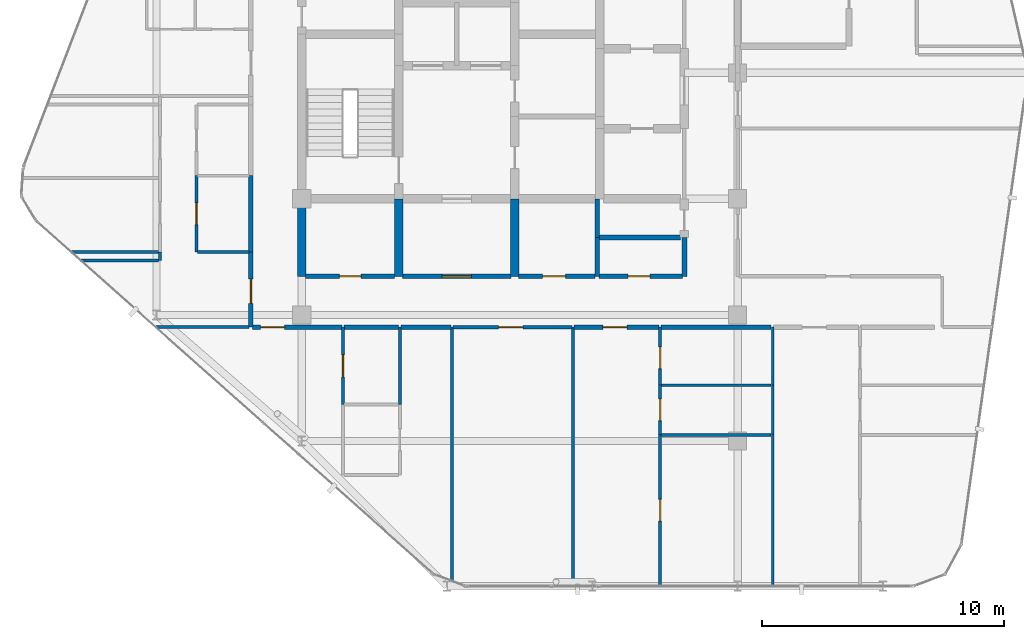
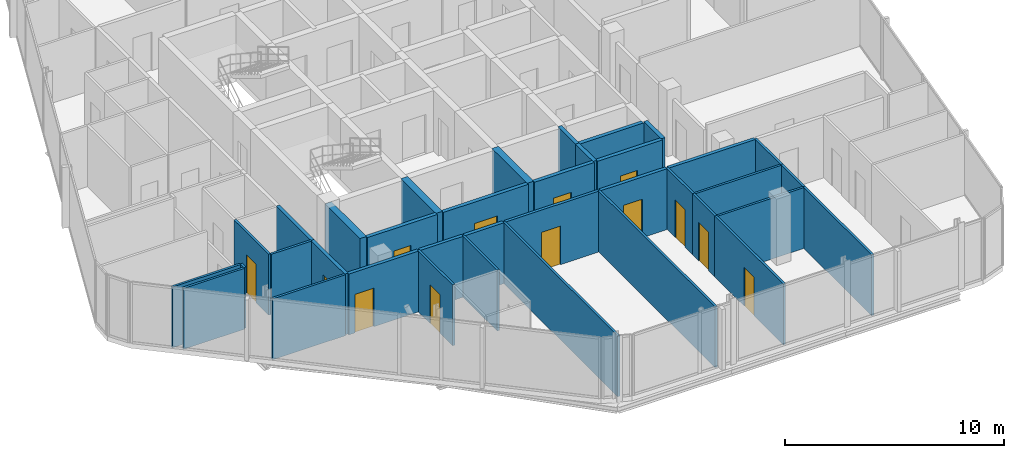
# One storey, part 22 of 28: 37 walls, 13 doors, 13 openings.
"""IFC4 building model written with IfcOpenShell, lengths in metres."""

from ifc_helpers import new_model, si_unit, direction, frame, frame_2d, origin, place, context, subcontext, project, spatial, rectangle, extrude, material, layer, layer_set, type_object, element, fill, save


model = new_model("IFC4")

# Units and contexts
model_context = context("Model", 3, precision=1e-05, world=origin(), true_north=direction((0.0, 1.0)))
body_context = subcontext(model_context, "Body", "Model", "MODEL_VIEW")
ifc_project = project(units=[si_unit("LENGTHUNIT", "METRE"), si_unit("AREAUNIT", "SQUARE_METRE"), si_unit("VOLUMEUNIT", "CUBIC_METRE"), si_unit("PLANEANGLEUNIT", "RADIAN"), si_unit("MASSUNIT", "GRAM", prefix="KILO")], contexts=[model_context])

# Site, building, storey
site_placement = place(None, origin())
site = spatial("IfcSite", under=ifc_project, at=site_placement, CompositionType="ELEMENT")
building_placement = place(site_placement, origin())
building = spatial("IfcBuilding", under=site, at=building_placement, Name="Keshet Zoharim Tower", CompositionType="ELEMENT")
storey_placement = place(building_placement, frame((0.0, 0.0, 265.800048828125)))
storey = spatial("IfcBuildingStorey", under=building, at=storey_placement, Name="L66", CompositionType="ELEMENT", Elevation=265.800048828125)

# Wall, opening, door
ifc_material_1 = material(Name="Gypsum Plasterboard", Category="gypsum")
ifc_layer_1 = layer(ifc_material_1, 0.14990234375)
ifc_layer_set_1 = layer_set([ifc_layer_1], Name="Gypsum Plasterboard")
wall_type_1 = type_object("IfcWallType", Name="WL-CLIN-150", PredefinedType="STANDARD", material=ifc_layer_set_1)
wall_1_placement = place(storey_placement, frame((21.2451171875, 17.39990234375, 0.0), z_axis=(0.0, 0.0, 1.0), x_axis=(1.0, 0.0, 0.0)))
wall_1 = element("IfcWall", 1, at=wall_1_placement, inside=storey, type_object=wall_type_1, Name="L66 Interior Wall 107", PredefinedType="STANDARD", context=body_context, shape_type="SweptSolid", body=[
    extrude(rectangle(XDim=4.909912109375, YDim=0.14990234375, at=frame_2d((2.455078125, 0.0))), origin(), (0.0, 0.0, 1.0), 3.389892578125),
])
opening_1_placement = place(wall_1_placement, frame((1.884033203125, 0.0, 0.0)))
opening_1 = element("IfcOpeningElement", 2, at=opening_1_placement, cuts=wall_1, Name="Opening D-F310", PredefinedType="OPENING", context=body_context, shape_type="SweptSolid", body=[
    extrude(rectangle(XDim=1.0, YDim=2.14990234375, at=frame_2d((0.5, 1.074951171875))), frame((0.0, 0.0849609375, 0.0), z_axis=(0.0, -1.0, 0.0), x_axis=(1.0, 0.0, 0.0)), (0.0, 0.0, 1.0), 0.169921875),
])
ifc_material_2 = material(Name="Hardwood Timber", Category="wood")
door_type_1 = type_object("IfcDoorType", Name="DR-FD30-100", OperationType="NOTDEFINED", PredefinedType="DOOR", material=ifc_material_2)
door_1_placement = place(opening_1_placement, origin())
door_1 = element("IfcDoor", 3, at=door_1_placement, inside=storey, type_object=door_type_1, Name="L66 Residents Co-Working Office Door", OperationType="SINGLE_SWING_LEFT", OverallHeight=2.14990234375, OverallWidth=1.0, PredefinedType="DOOR", context=body_context, shape_type="SweptSolid", body=[
    extrude(rectangle(XDim=1.0, YDim=2.14990234375, at=frame_2d((0.5, 1.074951171875))), frame((0.0, 0.02490234375, 0.0), z_axis=(0.0, -1.0, 0.0), x_axis=(1.0, 0.0, 0.0)), (0.0, 0.0, 1.0), 0.050048828125),
])
fill(opening_1, door_1)

# Walls
ifc_material_3 = material(Name="Concrete C60/75", Category="concrete")
ifc_layer_2 = layer(ifc_material_3, 0.35009765625)
ifc_layer_set_2 = layer_set([ifc_layer_2], Name="Concrete C60/75")
wall_type_2 = type_object("IfcWallType", Name="WL-CORE-350", PredefinedType="SHEAR", material=ifc_layer_set_2)
for number, where, z_axis, x_axis, name in (
    (4, (15.0, 19.5, 0.0), (0.0, 0.0, 1.0), (0.0, 1.0, 0.0), "L66 Core Shear Wall 021"),
    (5, (19.0, 19.5, 0.0), (0.0, 0.0, 1.0), (0.0, 1.0, 0.0), "L66 Core Shear Wall 028"),
    (6, (23.800048828125, 19.5, 0.0), (0.0, 0.0, 1.0), (0.0, 1.0, 0.0), "L66 Core Shear Wall 041"),
):
    element("IfcWall", number, at=place(storey_placement, frame(where, z_axis=z_axis, x_axis=x_axis)), inside=storey, type_object=wall_type_2, Name=name, PredefinedType="SHEAR", context=body_context, shape_type="SweptSolid", body=[
        extrude(rectangle(XDim=3.199951171875, YDim=0.35009765625, at=frame_2d((1.60009765625, 0.0))), origin(), (0.0, 0.0, 1.0), 3.389892578125),
    ])

# Wall, opening, door
ifc_layer_3 = layer(ifc_material_1, 0.179931640625)
ifc_layer_set_3 = layer_set([ifc_layer_3], Name="Gypsum Plasterboard")
wall_type_3 = type_object("IfcWallType", Name="WL-CORR-180", PredefinedType="STANDARD", material=ifc_layer_set_3)
wall_2_placement = place(storey_placement, frame((12.89990234375, 17.39990234375, 0.0), z_axis=(0.0, 0.0, 1.0), x_axis=(0.0, 1.0, 0.0)))
wall_2 = element("IfcWall", 7, at=wall_2_placement, inside=storey, type_object=wall_type_3, Name="L66 Interior Wall 012", PredefinedType="STANDARD", context=body_context, shape_type="SweptSolid", body=[
    extrude(rectangle(XDim=3.10009765625, YDim=0.179931640625, at=frame_2d((1.550048828125, 0.0))), origin(), (0.0, 0.0, 1.0), 3.389892578125),
])
opening_2_placement = place(wall_2_placement, frame((0.97802734375, 0.0, 0.0)))
opening_2 = element("IfcOpeningElement", 8, at=opening_2_placement, cuts=wall_2, Name="Opening D-F310", PredefinedType="OPENING", context=body_context, shape_type="SweptSolid", body=[
    extrude(rectangle(XDim=1.0, YDim=2.14990234375, at=frame_2d((0.5, 1.074951171875))), frame((0.0, 0.10009765625, 0.0), z_axis=(0.0, -1.0, 0.0), x_axis=(1.0, 0.0, 0.0)), (0.0, 0.0, 1.0), 0.199951171875),
])
door_2_placement = place(opening_2_placement, origin())
door_2 = element("IfcDoor", 9, at=door_2_placement, inside=storey, type_object=door_type_1, Name="Apartment 6607 Entrance Door", OperationType="SINGLE_SWING_LEFT", OverallHeight=2.14990234375, OverallWidth=1.0, PredefinedType="DOOR", context=body_context, shape_type="SweptSolid", body=[
    extrude(rectangle(XDim=1.0, YDim=2.14990234375, at=frame_2d((0.5, 1.074951171875))), frame((0.0, 0.02490234375, 0.0), z_axis=(0.0, -1.0, 0.0), x_axis=(1.0, 0.0, 0.0)), (0.0, 0.0, 1.0), 0.050048828125),
])
fill(opening_2, door_2)

# Wall
wall_3_placement = place(storey_placement, frame((12.89990234375, 20.5, 0.0), z_axis=(0.0, 0.0, 1.0), x_axis=(0.0, 1.0, 0.0)))
element("IfcWall", 10, at=wall_3_placement, inside=storey, type_object=wall_type_3, Name="L66 Interior Wall 013", PredefinedType="STANDARD", context=body_context, shape_type="SweptSolid", body=[
    extrude(rectangle(XDim=3.162109375, YDim=0.179931640625, at=frame_2d((1.5810546875, 0.0))), origin(), (0.0, 0.0, 1.0), 3.389892578125),
])

# Wall, opening, door
wall_4_placement = place(storey_placement, frame((12.97509765625, 17.39990234375, 0.0), z_axis=(0.0, 0.0, 1.0), x_axis=(1.0, 0.0, 0.0)))
wall_4 = element("IfcWall", 11, at=wall_4_placement, inside=storey, type_object=wall_type_3, Name="L66 Interior Wall 104", PredefinedType="STANDARD", context=body_context, shape_type="SweptSolid", body=[
    extrude(rectangle(XDim=3.679931640625, YDim=0.179931640625, at=frame_2d((1.83984375, 0.0))), origin(), (0.0, 0.0, 1.0), 3.389892578125),
])
opening_3_placement = place(wall_4_placement, frame((0.322021484375, 0.0, 0.0)))
opening_3 = element("IfcOpeningElement", 12, at=opening_3_placement, cuts=wall_4, Name="Opening D-F310", PredefinedType="OPENING", context=body_context, shape_type="SweptSolid", body=[
    extrude(rectangle(XDim=1.0, YDim=2.14990234375, at=frame_2d((0.5, 1.074951171875))), frame((0.0, 0.10009765625, 0.0), z_axis=(0.0, -1.0, 0.0), x_axis=(1.0, 0.0, 0.0)), (0.0, 0.0, 1.0), 0.199951171875),
])
door_3_placement = place(opening_3_placement, origin())
door_3 = element("IfcDoor", 13, at=door_3_placement, inside=storey, type_object=door_type_1, Name="Apartment 6601 Entrance Door", OperationType="SINGLE_SWING_RIGHT", OverallHeight=2.14990234375, OverallWidth=1.0, PredefinedType="DOOR", context=body_context, shape_type="SweptSolid", body=[
    extrude(rectangle(XDim=1.0, YDim=2.14990234375, at=frame_2d((0.5, 1.074951171875))), frame((0.0, 0.02490234375, 0.0), z_axis=(0.0, -1.0, 0.0), x_axis=(1.0, 0.0, 0.0)), (0.0, 0.0, 1.0), 0.050048828125),
])
fill(opening_3, door_3)

# Walls
wall_5_placement = place(storey_placement, frame((16.7451171875, 17.39990234375, 0.0), z_axis=(0.0, 0.0, 1.0), x_axis=(1.0, 0.0, 0.0)))
element("IfcWall", 14, at=wall_5_placement, inside=storey, type_object=wall_type_3, Name="L66 Interior Wall 105", PredefinedType="STANDARD", context=body_context, shape_type="SweptSolid", body=[
    extrude(rectangle(XDim=2.259765625, YDim=0.179931640625, at=frame_2d((1.1298828125, 0.0))), origin(), (0.0, 0.0, 1.0), 3.389892578125),
])
wall_6_placement = place(storey_placement, frame((19.094970703125, 17.39990234375, 0.0), z_axis=(0.0, 0.0, 1.0), x_axis=(1.0, 0.0, 0.0)))
element("IfcWall", 15, at=wall_6_placement, inside=storey, type_object=wall_type_3, Name="L66 Interior Wall 106", PredefinedType="STANDARD", context=body_context, shape_type="SweptSolid", body=[
    extrude(rectangle(XDim=2.06005859375, YDim=0.179931640625, at=frame_2d((1.030029296875, 0.0))), origin(), (0.0, 0.0, 1.0), 3.389892578125),
])

# Wall, opening, door
wall_7_placement = place(storey_placement, frame((26.2451171875, 17.39990234375, 0.0), z_axis=(0.0, 0.0, 1.0), x_axis=(1.0, 0.0, 0.0)))
wall_7 = element("IfcWall", 16, at=wall_7_placement, inside=storey, type_object=wall_type_3, Name="L66 Interior Wall 108", PredefinedType="STANDARD", context=body_context, shape_type="SweptSolid", body=[
    extrude(rectangle(XDim=3.509765625, YDim=0.179931640625, at=frame_2d((1.7548828125, 0.0))), origin(), (0.0, 0.0, 1.0), 3.389892578125),
])
opening_4_placement = place(wall_7_placement, frame((1.18505859375, 0.0, 0.0)))
opening_4 = element("IfcOpeningElement", 17, at=opening_4_placement, cuts=wall_7, Name="Opening D-F310", PredefinedType="OPENING", context=body_context, shape_type="SweptSolid", body=[
    extrude(rectangle(XDim=1.0, YDim=2.14990234375, at=frame_2d((0.5, 1.074951171875))), frame((0.0, 0.10009765625, 0.0), z_axis=(0.0, -1.0, 0.0), x_axis=(1.0, 0.0, 0.0)), (0.0, 0.0, 1.0), 0.199951171875),
])
door_4_placement = place(opening_4_placement, origin())
door_4 = element("IfcDoor", 18, at=door_4_placement, inside=storey, type_object=door_type_1, Name="Apartment 6602 Entrance Door", OperationType="SINGLE_SWING_RIGHT", OverallHeight=2.14990234375, OverallWidth=1.0, PredefinedType="DOOR", context=body_context, shape_type="SweptSolid", body=[
    extrude(rectangle(XDim=1.0, YDim=2.14990234375, at=frame_2d((0.5, 1.074951171875))), frame((0.0, 0.02490234375, 0.0), z_axis=(0.0, -1.0, 0.0), x_axis=(1.0, 0.0, 0.0)), (0.0, 0.0, 1.0), 0.050048828125),
])
fill(opening_4, door_4)

# Walls
wall_8_placement = place(storey_placement, frame((29.844970703125, 17.39990234375, 0.0), z_axis=(0.0, 0.0, 1.0), x_axis=(1.0, 0.0, 0.0)))
element("IfcWall", 19, at=wall_8_placement, inside=storey, type_object=wall_type_3, Name="L66 Interior Wall 109", PredefinedType="STANDARD", context=body_context, shape_type="SweptSolid", body=[
    extrude(rectangle(XDim=4.5400390625, YDim=0.179931640625, at=frame_2d((2.27001953125, 0.0))), origin(), (0.0, 0.0, 1.0), 3.389892578125),
])
ifc_material_4 = material(Name="Concrete C50/60", Category="concrete")
ifc_layer_4 = layer(ifc_material_4, 0.199951171875)
ifc_layer_set_4 = layer_set([ifc_layer_4], Name="Concrete C50/60")
wall_type_4 = type_object("IfcWallType", Name="WL-FIRE-200", PredefinedType="STANDARD", material=ifc_layer_set_4)
wall_9_placement = place(storey_placement, frame((27.199951171875, 19.5, 0.0), z_axis=(0.0, 0.0, 1.0), x_axis=(0.0, 1.0, 0.0)))
element("IfcWall", 20, at=wall_9_placement, inside=storey, type_object=wall_type_4, Name="L66 Interior Wall 052", PredefinedType="STANDARD", context=body_context, shape_type="SweptSolid", body=[
    extrude(rectangle(XDim=1.60009765625, YDim=0.199951171875, at=frame_2d((0.800048828125, 0.0))), origin(), (0.0, 0.0, 1.0), 3.389892578125),
])
wall_10_placement = place(storey_placement, frame((27.199951171875, 21.10009765625, 0.0), z_axis=(0.0, 0.0, 1.0), x_axis=(0.0, 1.0, 0.0)))
element("IfcWall", 21, at=wall_10_placement, inside=storey, type_object=wall_type_4, Name="L66 Interior Wall 053", PredefinedType="STANDARD", context=body_context, shape_type="SweptSolid", body=[
    extrude(rectangle(XDim=1.599853515625, YDim=0.199951171875, at=frame_2d((0.7998046875, 0.0))), origin(), (0.0, 0.0, 1.0), 3.389892578125),
])
wall_11_placement = place(storey_placement, frame((30.800048828125, 19.5, 0.0), z_axis=(0.0, 0.0, 1.0), x_axis=(0.0, 1.0, 0.0)))
element("IfcWall", 22, at=wall_11_placement, inside=storey, type_object=wall_type_4, Name="L66 Interior Wall 065", PredefinedType="STANDARD", context=body_context, shape_type="SweptSolid", body=[
    extrude(rectangle(XDim=1.60009765625, YDim=0.199951171875, at=frame_2d((0.800048828125, 0.0))), origin(), (0.0, 0.0, 1.0), 3.389892578125),
])

# Wall, opening, door
wall_12_placement = place(storey_placement, frame((15.159912109375, 19.5, 0.0), z_axis=(0.0, 0.0, 1.0), x_axis=(1.0, 0.0, 0.0)))
wall_12 = element("IfcWall", 23, at=wall_12_placement, inside=storey, type_object=wall_type_4, Name="L66 Interior Wall 113", PredefinedType="STANDARD", context=body_context, shape_type="SweptSolid", body=[
    extrude(rectangle(XDim=3.68017578125, YDim=0.199951171875, at=frame_2d((1.840087890625, 0.0))), origin(), (0.0, 0.0, 1.0), 3.389892578125),
])
opening_5_placement = place(wall_12_placement, frame((1.389892578125, 0.0, 0.0)))
opening_5 = element("IfcOpeningElement", 24, at=opening_5_placement, cuts=wall_12, Name="Opening D-F690", PredefinedType="OPENING", context=body_context, shape_type="SweptSolid", body=[
    extrude(rectangle(XDim=0.89990234375, YDim=2.14990234375, at=frame_2d((0.449951171875, 1.074951171875))), frame((0.0, 0.10986328125, 0.0), z_axis=(0.0, -1.0, 0.0), x_axis=(1.0, 0.0, 0.0)), (0.0, 0.0, 1.0), 0.219970703125),
])
door_type_2 = type_object("IfcDoorType", Name="DR-FD60-090", OperationType="NOTDEFINED", PredefinedType="DOOR", material=ifc_material_2)
door_5_placement = place(opening_5_placement, origin())
door_5 = element("IfcDoor", 25, at=door_5_placement, inside=storey, type_object=door_type_2, Name="L66 Refuse Store Door", OperationType="SINGLE_SWING_RIGHT", OverallHeight=2.14990234375, OverallWidth=0.89990234375, PredefinedType="DOOR", context=body_context, shape_type="SweptSolid", body=[
    extrude(rectangle(XDim=0.89990234375, YDim=2.14990234375, at=frame_2d((0.449951171875, 1.074951171875))), frame((0.0, 0.02490234375, 0.0), z_axis=(0.0, -1.0, 0.0), x_axis=(1.0, 0.0, 0.0)), (0.0, 0.0, 1.0), 0.050048828125),
])
fill(opening_5, door_5)

wall_13_placement = place(storey_placement, frame((19.159912109375, 19.5, 0.0), z_axis=(0.0, 0.0, 1.0), x_axis=(1.0, 0.0, 0.0)))
wall_13 = element("IfcWall", 26, at=wall_13_placement, inside=storey, type_object=wall_type_4, Name="L66 Interior Wall 114", PredefinedType="STANDARD", context=body_context, shape_type="SweptSolid", body=[
    extrude(rectangle(XDim=4.47998046875, YDim=0.199951171875, at=frame_2d((2.239990234375, 0.0))), origin(), (0.0, 0.0, 1.0), 3.389892578125),
])
opening_6_placement = place(wall_13_placement, frame((1.639892578125, 0.0, 0.0)))
opening_6 = element("IfcOpeningElement", 27, at=opening_6_placement, cuts=wall_13, Name="Opening D-F612", PredefinedType="OPENING", context=body_context, shape_type="SweptSolid", body=[
    extrude(rectangle(XDim=1.199951171875, YDim=2.199951171875, at=frame_2d((0.60009765625, 1.10009765625))), frame((0.0, 0.10986328125, 0.0), z_axis=(0.0, -1.0, 0.0), x_axis=(1.0, 0.0, 0.0)), (0.0, 0.0, 1.0), 0.219970703125),
])
door_type_3 = type_object("IfcDoorType", Name="DR-FD60-120", OperationType="NOTDEFINED", PredefinedType="DOOR", material=ifc_material_2)
door_6_placement = place(opening_6_placement, origin())
door_6 = element("IfcDoor", 28, at=door_6_placement, inside=storey, type_object=door_type_3, Name="L66 South Vestibule Corridor Door", OperationType="SINGLE_SWING_LEFT", OverallHeight=2.199951171875, OverallWidth=1.199951171875, PredefinedType="DOOR", context=body_context, shape_type="SweptSolid", body=[
    extrude(rectangle(XDim=1.199951171875, YDim=2.199951171875, at=frame_2d((0.60009765625, 1.10009765625))), frame((0.0, 0.02490234375, 0.0), z_axis=(0.0, -1.0, 0.0), x_axis=(1.0, 0.0, 0.0)), (0.0, 0.0, 1.0), 0.050048828125),
])
fill(opening_6, door_6)

wall_14_placement = place(storey_placement, frame((23.9599609375, 19.5, 0.0), z_axis=(0.0, 0.0, 1.0), x_axis=(1.0, 0.0, 0.0)))
wall_14 = element("IfcWall", 29, at=wall_14_placement, inside=storey, type_object=wall_type_4, Name="L66 Interior Wall 115", PredefinedType="STANDARD", context=body_context, shape_type="SweptSolid", body=[
    extrude(rectangle(XDim=3.155029296875, YDim=0.199951171875, at=frame_2d((1.57763671875, 0.0))), origin(), (0.0, 0.0, 1.0), 3.389892578125),
])
opening_7_placement = place(wall_14_placement, frame((0.990966796875, 0.0, 0.0)))
opening_7 = element("IfcOpeningElement", 30, at=opening_7_placement, cuts=wall_14, Name="Opening D-F695", PredefinedType="OPENING", context=body_context, shape_type="SweptSolid", body=[
    extrude(rectangle(XDim=0.949951171875, YDim=2.14990234375, at=frame_2d((0.47509765625, 1.074951171875))), frame((0.0, 0.10986328125, 0.0), z_axis=(0.0, -1.0, 0.0), x_axis=(1.0, 0.0, 0.0)), (0.0, 0.0, 1.0), 0.219970703125),
])
door_type_4 = type_object("IfcDoorType", Name="DR-FD60-095", OperationType="NOTDEFINED", PredefinedType="DOOR", material=ifc_material_2)
door_7_placement = place(opening_7_placement, origin())
door_7 = element("IfcDoor", 31, at=door_7_placement, inside=storey, type_object=door_type_4, Name="L66 Utility Room Door", OperationType="SINGLE_SWING_RIGHT", OverallHeight=2.14990234375, OverallWidth=0.949951171875, PredefinedType="DOOR", context=body_context, shape_type="SweptSolid", body=[
    extrude(rectangle(XDim=0.949951171875, YDim=2.14990234375, at=frame_2d((0.47509765625, 1.074951171875))), frame((0.0, 0.02490234375, 0.0), z_axis=(0.0, -1.0, 0.0), x_axis=(1.0, 0.0, 0.0)), (0.0, 0.0, 1.0), 0.050048828125),
])
fill(opening_7, door_7)

wall_15_placement = place(storey_placement, frame((27.284912109375, 19.5, 0.0), z_axis=(0.0, 0.0, 1.0), x_axis=(1.0, 0.0, 0.0)))
wall_15 = element("IfcWall", 32, at=wall_15_placement, inside=storey, type_object=wall_type_4, Name="L66 Interior Wall 116", PredefinedType="STANDARD", context=body_context, shape_type="SweptSolid", body=[
    extrude(rectangle(XDim=3.43017578125, YDim=0.199951171875, at=frame_2d((1.715087890625, 0.0))), origin(), (0.0, 0.0, 1.0), 3.389892578125),
])
opening_8_placement = place(wall_15_placement, frame((1.19189453125, 0.0, 0.0)))
opening_8 = element("IfcOpeningElement", 33, at=opening_8_placement, cuts=wall_15, Name="Opening D-F690", PredefinedType="OPENING", context=body_context, shape_type="SweptSolid", body=[
    extrude(rectangle(XDim=0.89990234375, YDim=2.14990234375, at=frame_2d((0.449951171875, 1.074951171875))), frame((0.0, 0.10986328125, 0.0), z_axis=(0.0, -1.0, 0.0), x_axis=(1.0, 0.0, 0.0)), (0.0, 0.0, 1.0), 0.219970703125),
])
door_8_placement = place(opening_8_placement, origin())
door_8 = element("IfcDoor", 34, at=door_8_placement, inside=storey, type_object=door_type_2, Name="L66 Valve Room Door", OperationType="SINGLE_SWING_LEFT", OverallHeight=2.14990234375, OverallWidth=0.89990234375, PredefinedType="DOOR", context=body_context, shape_type="SweptSolid", body=[
    extrude(rectangle(XDim=0.89990234375, YDim=2.14990234375, at=frame_2d((0.449951171875, 1.074951171875))), frame((0.0, 0.02490234375, 0.0), z_axis=(0.0, -1.0, 0.0), x_axis=(1.0, 0.0, 0.0)), (0.0, 0.0, 1.0), 0.050048828125),
])
fill(opening_8, door_8)

# Walls
wall_16_placement = place(storey_placement, frame((27.284912109375, 21.10009765625, 0.0), z_axis=(0.0, 0.0, 1.0), x_axis=(1.0, 0.0, 0.0)))
element("IfcWall", 35, at=wall_16_placement, inside=storey, type_object=wall_type_4, Name="L66 Interior Wall 121", PredefinedType="STANDARD", context=body_context, shape_type="SweptSolid", body=[
    extrude(rectangle(XDim=3.35498046875, YDim=0.199951171875, at=frame_2d((1.677490234375, 0.0))), origin(), (0.0, 0.0, 1.0), 3.389892578125),
])
ifc_layer_5 = layer(ifc_material_1, 0.1201171875)
ifc_layer_set_5 = layer_set([ifc_layer_5], Name="Gypsum Plasterboard")
wall_type_5 = type_object("IfcWallType", Name="WL-PART-120", PredefinedType="PARTITIONING", material=ifc_layer_set_5)
wall_17_placement = place(storey_placement, frame((9.14990234375, 20.14990234375, 0.0), z_axis=(0.0, 0.0, 1.0), x_axis=(0.0, 1.0, 0.0)))
element("IfcWall", 36, at=wall_17_placement, inside=storey, type_object=wall_type_5, Name="L66 Interior Wall 002", PredefinedType="PARTITIONING", context=body_context, shape_type="SweptSolid", body=[
    extrude(rectangle(XDim=0.35009765625, YDim=0.1201171875, at=frame_2d((0.175048828125, 0.0))), origin(), (0.0, 0.0, 1.0), 3.389892578125),
])

# Wall, opening, door
wall_18_placement = place(storey_placement, frame((10.64990234375, 20.5, 0.0), z_axis=(0.0, 0.0, 1.0), x_axis=(0.0, 1.0, 0.0)))
wall_18 = element("IfcWall", 37, at=wall_18_placement, inside=storey, type_object=wall_type_5, Name="L66 Interior Wall 008", PredefinedType="PARTITIONING", context=body_context, shape_type="SweptSolid", body=[
    extrude(rectangle(XDim=3.162109375, YDim=0.1201171875, at=frame_2d((1.5810546875, 0.0))), origin(), (0.0, 0.0, 1.0), 3.389892578125),
])
opening_9_placement = place(wall_18_placement, frame((1.131103515625, 0.0, 0.0)))
opening_9 = element("IfcOpeningElement", 38, at=opening_9_placement, cuts=wall_18, Name="Opening D-IN90", PredefinedType="OPENING", context=body_context, shape_type="SweptSolid", body=[
    extrude(rectangle(XDim=0.89990234375, YDim=2.14990234375, at=frame_2d((0.449951171875, 1.074951171875))), frame((0.0, 0.070068359375, 0.0), z_axis=(0.0, -1.0, 0.0), x_axis=(1.0, 0.0, 0.0)), (0.0, 0.0, 1.0), 0.14013671875),
])
door_type_5 = type_object("IfcDoorType", Name="DR-INT-090", OperationType="NOTDEFINED", PredefinedType="DOOR", material=ifc_material_2)
door_9_placement = place(opening_9_placement, origin())
door_9 = element("IfcDoor", 39, at=door_9_placement, inside=storey, type_object=door_type_5, Name="Apartment 6607 Kitchen Door", OperationType="SINGLE_SWING_LEFT", OverallHeight=2.14990234375, OverallWidth=0.89990234375, PredefinedType="DOOR", context=body_context, shape_type="SweptSolid", body=[
    extrude(rectangle(XDim=0.89990234375, YDim=2.14990234375, at=frame_2d((0.449951171875, 1.074951171875))), frame((0.0, 0.02490234375, 0.0), z_axis=(0.0, -1.0, 0.0), x_axis=(1.0, 0.0, 0.0)), (0.0, 0.0, 1.0), 0.050048828125),
])
fill(opening_9, door_9)

wall_19_placement = place(storey_placement, frame((16.699951171875, 14.199951171875, 0.0), z_axis=(0.0, 0.0, 1.0), x_axis=(0.0, 1.0, 0.0)))
wall_19 = element("IfcWall", 40, at=wall_19_placement, inside=storey, type_object=wall_type_5, Name="L66 Interior Wall 026", PredefinedType="PARTITIONING", context=body_context, shape_type="SweptSolid", body=[
    extrude(rectangle(XDim=3.199951171875, YDim=0.1201171875, at=frame_2d((1.60009765625, 0.0))), origin(), (0.0, 0.0, 1.0), 3.389892578125),
])
opening_10_placement = place(wall_19_placement, frame((1.14990234375, 0.0, 0.0)))
opening_10 = element("IfcOpeningElement", 41, at=opening_10_placement, cuts=wall_19, Name="Opening D-IN90", PredefinedType="OPENING", context=body_context, shape_type="SweptSolid", body=[
    extrude(rectangle(XDim=0.89990234375, YDim=2.14990234375, at=frame_2d((0.449951171875, 1.074951171875))), frame((0.0, 0.070068359375, 0.0), z_axis=(0.0, -1.0, 0.0), x_axis=(1.0, 0.0, 0.0)), (0.0, 0.0, 1.0), 0.14013671875),
])
door_10_placement = place(opening_10_placement, origin())
door_10 = element("IfcDoor", 42, at=door_10_placement, inside=storey, type_object=door_type_5, Name="Apartment 6601 Kitchenette Door", OperationType="SINGLE_SWING_LEFT", OverallHeight=2.14990234375, OverallWidth=0.89990234375, PredefinedType="DOOR", context=body_context, shape_type="SweptSolid", body=[
    extrude(rectangle(XDim=0.89990234375, YDim=2.14990234375, at=frame_2d((0.449951171875, 1.074951171875))), frame((0.0, 0.02490234375, 0.0), z_axis=(0.0, -1.0, 0.0), x_axis=(1.0, 0.0, 0.0)), (0.0, 0.0, 1.0), 0.050048828125),
])
fill(opening_10, door_10)

# Walls
wall_20_placement = place(storey_placement, frame((19.050048828125, 14.199951171875, 0.0), z_axis=(0.0, 0.0, 1.0), x_axis=(0.0, 1.0, 0.0)))
element("IfcWall", 43, at=wall_20_placement, inside=storey, type_object=wall_type_5, Name="L66 Interior Wall 034", PredefinedType="PARTITIONING", context=body_context, shape_type="SweptSolid", body=[
    extrude(rectangle(XDim=3.199951171875, YDim=0.1201171875, at=frame_2d((1.60009765625, 0.0))), origin(), (0.0, 0.0, 1.0), 3.389892578125),
])
wall_21_placement = place(storey_placement, frame((21.199951171875, 6.923095703125, 0.0), z_axis=(0.0, 0.0, 1.0), x_axis=(0.0, 1.0, 0.0)))
element("IfcWall", 44, at=wall_21_placement, inside=storey, type_object=wall_type_5, Name="L66 Interior Wall 035", PredefinedType="PARTITIONING", context=body_context, shape_type="SweptSolid", body=[
    extrude(rectangle(XDim=10.476806640625, YDim=0.1201171875, at=frame_2d((5.23828125, 0.0))), origin(), (0.0, 0.0, 1.0), 3.389892578125),
])
wall_22_placement = place(storey_placement, frame((26.199951171875, 6.7099609375, 0.0), z_axis=(0.0, 0.0, 1.0), x_axis=(0.0, 1.0, 0.0)))
element("IfcWall", 45, at=wall_22_placement, inside=storey, type_object=wall_type_5, Name="L66 Interior Wall 050", PredefinedType="PARTITIONING", context=body_context, shape_type="SweptSolid", body=[
    extrude(rectangle(XDim=10.68994140625, YDim=0.1201171875, at=frame_2d((5.344970703125, 0.0))), origin(), (0.0, 0.0, 1.0), 3.389892578125),
])

# Wall, opening, door
wall_23_placement = place(storey_placement, frame((29.800048828125, 6.7099609375, 0.0), z_axis=(0.0, 0.0, 1.0), x_axis=(0.0, 1.0, 0.0)))
wall_23 = element("IfcWall", 46, at=wall_23_placement, inside=storey, type_object=wall_type_5, Name="L66 Interior Wall 061", PredefinedType="PARTITIONING", context=body_context, shape_type="SweptSolid", body=[
    extrude(rectangle(XDim=6.260009765625, YDim=0.1201171875, at=frame_2d((3.1298828125, 0.0))), origin(), (0.0, 0.0, 1.0), 3.389892578125),
])
opening_11_placement = place(wall_23_placement, frame((2.679931640625, 0.0, 0.0)))
opening_11 = element("IfcOpeningElement", 47, at=opening_11_placement, cuts=wall_23, Name="Opening D-IN90", PredefinedType="OPENING", context=body_context, shape_type="SweptSolid", body=[
    extrude(rectangle(XDim=0.89990234375, YDim=2.14990234375, at=frame_2d((0.449951171875, 1.074951171875))), frame((0.0, 0.070068359375, 0.0), z_axis=(0.0, -1.0, 0.0), x_axis=(1.0, 0.0, 0.0)), (0.0, 0.0, 1.0), 0.14013671875),
])
door_11_placement = place(opening_11_placement, origin())
door_11 = element("IfcDoor", 48, at=door_11_placement, inside=storey, type_object=door_type_5, Name="Apartment 6602 Bedroom 1 Door", OperationType="SINGLE_SWING_RIGHT", OverallHeight=2.14990234375, OverallWidth=0.89990234375, PredefinedType="DOOR", context=body_context, shape_type="SweptSolid", body=[
    extrude(rectangle(XDim=0.89990234375, YDim=2.14990234375, at=frame_2d((0.449951171875, 1.074951171875))), frame((0.0, 0.02490234375, 0.0), z_axis=(0.0, -1.0, 0.0), x_axis=(1.0, 0.0, 0.0)), (0.0, 0.0, 1.0), 0.050048828125),
])
fill(opening_11, door_11)

wall_24_placement = place(storey_placement, frame((29.800048828125, 12.969970703125, 0.0), z_axis=(0.0, 0.0, 1.0), x_axis=(0.0, 1.0, 0.0)))
wall_24 = element("IfcWall", 49, at=wall_24_placement, inside=storey, type_object=wall_type_5, Name="L66 Interior Wall 062", PredefinedType="PARTITIONING", context=body_context, shape_type="SweptSolid", body=[
    extrude(rectangle(XDim=2.0380859375, YDim=0.1201171875, at=frame_2d((1.01904296875, 0.0))), origin(), (0.0, 0.0, 1.0), 3.389892578125),
])
opening_12_placement = place(wall_24_placement, frame((0.569091796875, 0.0, 0.0)))
opening_12 = element("IfcOpeningElement", 50, at=opening_12_placement, cuts=wall_24, Name="Opening D-IN90", PredefinedType="OPENING", context=body_context, shape_type="SweptSolid", body=[
    extrude(rectangle(XDim=0.89990234375, YDim=2.14990234375, at=frame_2d((0.449951171875, 1.074951171875))), frame((0.0, 0.070068359375, 0.0), z_axis=(0.0, -1.0, 0.0), x_axis=(1.0, 0.0, 0.0)), (0.0, 0.0, 1.0), 0.14013671875),
])
door_12_placement = place(opening_12_placement, origin())
door_12 = element("IfcDoor", 51, at=door_12_placement, inside=storey, type_object=door_type_5, Name="Apartment 6602 Kitchen Door", OperationType="SINGLE_SWING_LEFT", OverallHeight=2.14990234375, OverallWidth=0.89990234375, PredefinedType="DOOR", context=body_context, shape_type="SweptSolid", body=[
    extrude(rectangle(XDim=0.89990234375, YDim=2.14990234375, at=frame_2d((0.449951171875, 1.074951171875))), frame((0.0, 0.02490234375, 0.0), z_axis=(0.0, -1.0, 0.0), x_axis=(1.0, 0.0, 0.0)), (0.0, 0.0, 1.0), 0.050048828125),
])
fill(opening_12, door_12)

# Walls
wall_25_placement = place(storey_placement, frame((34.449951171875, 6.7099609375, 0.0), z_axis=(0.0, 0.0, 1.0), x_axis=(0.0, 1.0, 0.0)))
element("IfcWall", 52, at=wall_25_placement, inside=storey, type_object=wall_type_5, Name="L66 Interior Wall 079", PredefinedType="PARTITIONING", context=body_context, shape_type="SweptSolid", body=[
    extrude(rectangle(XDim=6.260009765625, YDim=0.1201171875, at=frame_2d((3.1298828125, 0.0))), origin(), (0.0, 0.0, 1.0), 3.389892578125),
])
wall_26_placement = place(storey_placement, frame((34.449951171875, 12.969970703125, 0.0), z_axis=(0.0, 0.0, 1.0), x_axis=(0.0, 1.0, 0.0)))
element("IfcWall", 53, at=wall_26_placement, inside=storey, type_object=wall_type_5, Name="L66 Interior Wall 080", PredefinedType="PARTITIONING", context=body_context, shape_type="SweptSolid", body=[
    extrude(rectangle(XDim=2.0380859375, YDim=0.1201171875, at=frame_2d((1.01904296875, 0.0))), origin(), (0.0, 0.0, 1.0), 3.389892578125),
])
wall_27_placement = place(storey_placement, frame((29.844970703125, 12.949951171875, 0.0), z_axis=(0.0, 0.0, 1.0), x_axis=(1.0, 0.0, 0.0)))
element("IfcWall", 54, at=wall_27_placement, inside=storey, type_object=wall_type_5, Name="L66 Interior Wall 098", PredefinedType="PARTITIONING", context=body_context, shape_type="SweptSolid", body=[
    extrude(rectangle(XDim=4.5400390625, YDim=0.1201171875, at=frame_2d((2.27001953125, 0.0))), origin(), (0.0, 0.0, 1.0), 3.389892578125),
])
wall_28_placement = place(storey_placement, frame((8.972900390625, 17.39990234375, 0.0), z_axis=(0.0, 0.0, 1.0), x_axis=(1.0, 0.0, 0.0)))
element("IfcWall", 55, at=wall_28_placement, inside=storey, type_object=wall_type_5, Name="L66 Interior Wall 103", PredefinedType="PARTITIONING", context=body_context, shape_type="SweptSolid", body=[
    extrude(rectangle(XDim=3.85205078125, YDim=0.1201171875, at=frame_2d((1.926025390625, 0.0))), origin(), (0.0, 0.0, 1.0), 3.389892578125),
])
wall_29_placement = place(storey_placement, frame((5.87890625, 20.14990234375, 0.0), z_axis=(0.0, 0.0, 1.0), x_axis=(1.0, 0.0, 0.0)))
element("IfcWall", 56, at=wall_29_placement, inside=storey, type_object=wall_type_5, Name="L66 Interior Wall 118", PredefinedType="PARTITIONING", context=body_context, shape_type="SweptSolid", body=[
    extrude(rectangle(XDim=3.2060546875, YDim=0.1201171875, at=frame_2d((1.60302734375, 0.0))), origin(), (0.0, 0.0, 1.0), 3.389892578125),
])
wall_30_placement = place(storey_placement, frame((5.485107421875, 20.5, 0.0), z_axis=(0.0, 0.0, 1.0), x_axis=(1.0, 0.0, 0.0)))
element("IfcWall", 57, at=wall_30_placement, inside=storey, type_object=wall_type_5, Name="L66 Interior Wall 119", PredefinedType="PARTITIONING", context=body_context, shape_type="SweptSolid", body=[
    extrude(rectangle(XDim=3.599853515625, YDim=0.1201171875, at=frame_2d((1.7998046875, 0.0))), origin(), (0.0, 0.0, 1.0), 3.389892578125),
])
wall_31_placement = place(storey_placement, frame((10.695068359375, 20.5, 0.0), z_axis=(0.0, 0.0, 1.0), x_axis=(1.0, 0.0, 0.0)))
element("IfcWall", 58, at=wall_31_placement, inside=storey, type_object=wall_type_5, Name="L66 Interior Wall 120", PredefinedType="PARTITIONING", context=body_context, shape_type="SweptSolid", body=[
    extrude(rectangle(XDim=2.1298828125, YDim=0.1201171875, at=frame_2d((1.06494140625, 0.0))), origin(), (0.0, 0.0, 1.0), 3.389892578125),
])

# Wall, opening, door
ifc_layer_6 = layer(ifc_material_1, 0.1201171875)
ifc_layer_set_6 = layer_set([ifc_layer_6], Name="Gypsum Plasterboard")
wall_type_6 = type_object("IfcWallType", Name="WL-WET-120", PredefinedType="PARTITIONING", material=ifc_layer_set_6)
wall_32_placement = place(storey_placement, frame((29.800048828125, 15.008056640625, 0.0), z_axis=(0.0, 0.0, 1.0), x_axis=(0.0, 1.0, 0.0)))
wall_32 = element("IfcWall", 59, at=wall_32_placement, inside=storey, type_object=wall_type_6, Name="L66 Interior Wall 063", PredefinedType="PARTITIONING", context=body_context, shape_type="SweptSolid", body=[
    extrude(rectangle(XDim=2.391845703125, YDim=0.1201171875, at=frame_2d((1.19580078125, 0.0))), origin(), (0.0, 0.0, 1.0), 3.389892578125),
])
opening_13_placement = place(wall_32_placement, frame((0.675048828125, 0.0, 0.0)))
opening_13 = element("IfcOpeningElement", 60, at=opening_13_placement, cuts=wall_32, Name="Opening D-WT90", PredefinedType="OPENING", context=body_context, shape_type="SweptSolid", body=[
    extrude(rectangle(XDim=0.89990234375, YDim=2.10009765625, at=frame_2d((0.449951171875, 1.050048828125))), frame((0.0, 0.070068359375, 0.0), z_axis=(0.0, -1.0, 0.0), x_axis=(1.0, 0.0, 0.0)), (0.0, 0.0, 1.0), 0.14013671875),
])
door_type_6 = type_object("IfcDoorType", Name="DR-WET-090", OperationType="NOTDEFINED", PredefinedType="DOOR", material=ifc_material_2)
door_13_placement = place(opening_13_placement, origin())
door_13 = element("IfcDoor", 61, at=door_13_placement, inside=storey, type_object=door_type_6, Name="Apartment 6602 Bathroom Door", OperationType="SINGLE_SWING_RIGHT", OverallHeight=2.10009765625, OverallWidth=0.89990234375, PredefinedType="DOOR", context=body_context, shape_type="SweptSolid", body=[
    extrude(rectangle(XDim=0.89990234375, YDim=2.10009765625, at=frame_2d((0.449951171875, 1.050048828125))), frame((0.0, 0.02490234375, 0.0), z_axis=(0.0, -1.0, 0.0), x_axis=(1.0, 0.0, 0.0)), (0.0, 0.0, 1.0), 0.050048828125),
])
fill(opening_13, door_13)

# Walls
wall_33_placement = place(storey_placement, frame((34.449951171875, 15.008056640625, 0.0), z_axis=(0.0, 0.0, 1.0), x_axis=(0.0, 1.0, 0.0)))
element("IfcWall", 62, at=wall_33_placement, inside=storey, type_object=wall_type_6, Name="L66 Interior Wall 081", PredefinedType="PARTITIONING", context=body_context, shape_type="SweptSolid", body=[
    extrude(rectangle(XDim=2.391845703125, YDim=0.1201171875, at=frame_2d((1.19580078125, 0.0))), origin(), (0.0, 0.0, 1.0), 3.389892578125),
])
wall_34_placement = place(storey_placement, frame((29.844970703125, 15.0, 0.0), z_axis=(0.0, 0.0, 1.0), x_axis=(1.0, 0.0, 0.0)))
element("IfcWall", 63, at=wall_34_placement, inside=storey, type_object=wall_type_6, Name="L66 Interior Wall 101", PredefinedType="PARTITIONING", context=body_context, shape_type="SweptSolid", body=[
    extrude(rectangle(XDim=4.5400390625, YDim=0.1201171875, at=frame_2d((2.27001953125, 0.0))), origin(), (0.0, 0.0, 1.0), 3.389892578125),
])

save(model, "model.ifc")
